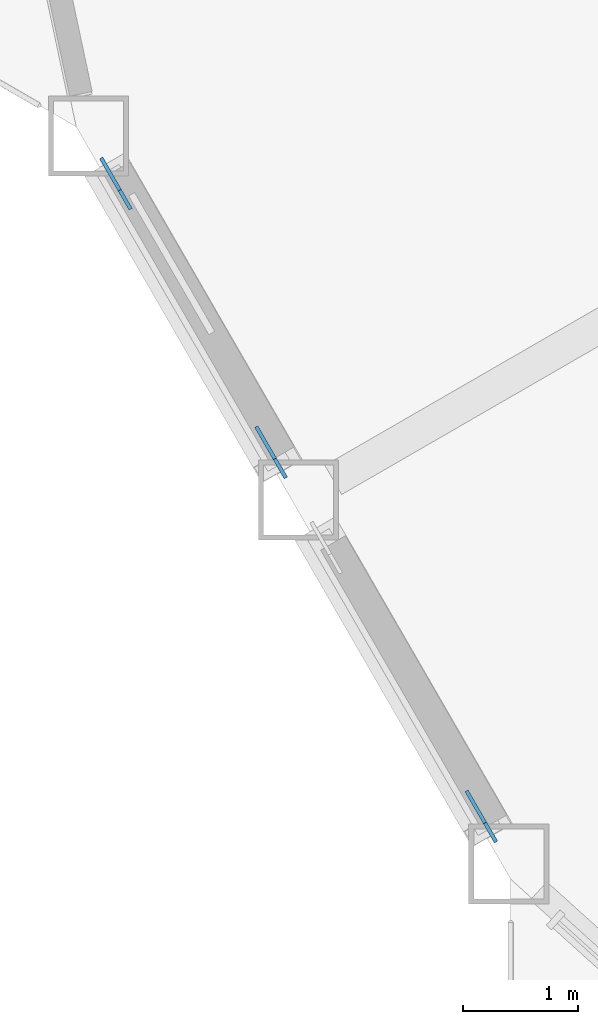
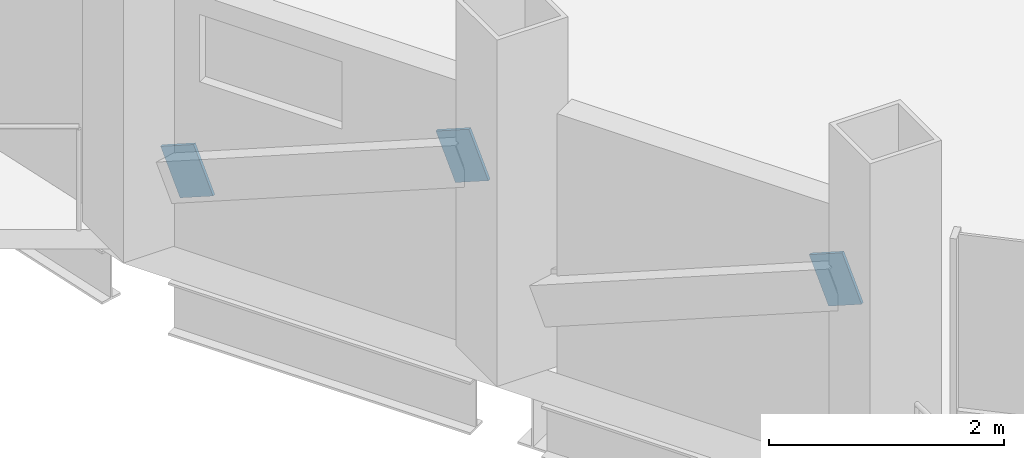
# One storey, part 16 of 24: 3 discrete accessories.
"""IFC4 building model written with IfcOpenShell, lengths in metres."""

from ifc_helpers import new_model, si_unit, direction, frame, origin, origin_2d, place, context, subcontext, project, spatial, rectangle, extrude, material, material_profile, profile_set, type_object, element, save


model = new_model("IFC4")

# Units and contexts
model_context = context("Model", 3, precision=1e-05, world=origin(), true_north=direction((0.0, 1.0)))
body_context = subcontext(model_context, "Body", "Model", "MODEL_VIEW")
ifc_project = project(units=[si_unit("LENGTHUNIT", "METRE"), si_unit("AREAUNIT", "SQUARE_METRE"), si_unit("VOLUMEUNIT", "CUBIC_METRE"), si_unit("PLANEANGLEUNIT", "RADIAN"), si_unit("MASSUNIT", "GRAM", prefix="KILO")], contexts=[model_context])

# Site, building, storey
site_placement = place(None, origin())
site = spatial("IfcSite", under=ifc_project, at=site_placement, CompositionType="ELEMENT")
building_placement = place(site_placement, origin())
building = spatial("IfcBuilding", under=site, at=building_placement, Name="Cormorant Prow Tower", CompositionType="ELEMENT")
storey_placement = place(building_placement, frame((0.0, 0.0, 274.199951171875)))
storey = spatial("IfcBuildingStorey", under=building, at=storey_placement, Name="L62", CompositionType="ELEMENT", Elevation=274.199951171875)

# Discrete accessories
ifc_material = material(Name="Structural steel ASTM A500 Gr C", Category="steel")
ifc_material_profile = material_profile(ifc_material, rectangle(XDim=0.031982421875, YDim=0.506103515625, at=origin_2d()), Name="Gusset plate 32x506")
ifc_profile_set = profile_set([ifc_material_profile], Name="Structural steel ASTM A500 Gr C")
discrete_accessory_type = type_object("IfcDiscreteAccessoryType", Name="Gusset plate 32x506", PredefinedType="BRACKET", material=ifc_profile_set)
discrete_accessory_placement = place(storey_placement, frame((-29.2900390625, -13.4150390625, 0.863037109375), z_axis=(-0.46266066689, 0.801805590131, -0.37822335061), x_axis=(-0.866147934042, -0.499787711288, 0.0)))
element("IfcDiscreteAccessory", 1, at=discrete_accessory_placement, inside=storey, type_object=discrete_accessory_type, Name="Gusset plate GP2 L62.WSW00.g0", PredefinedType="BRACKET", context=body_context, shape_type="SweptSolid", body=[
    extrude(rectangle(XDim=0.031982421875, YDim=0.506103515625, at=origin_2d()), origin(), (0.0, 0.0, 1.0), 0.349853515625),
])
for number, where, z_axis, x_axis, name in (
    (2, (-28.09814453125, -15.4794921875, 1.837890625), (0.462827914709, -0.801584490837, 0.378487285673), (0.866010015463, 0.500026652407, 0.0), "Gusset plate GP2 L62.WSW00.g1"),
    (3, (-26.262939453125, -18.658203125, 1.837890625), (0.462827914709, -0.801584490837, 0.378487285673), (0.866010015463, 0.500026652407, 0.0), "Gusset plate GP2 L62.WSW01.g1"),
):
    element("IfcDiscreteAccessory", number, at=place(storey_placement, frame(where, z_axis=z_axis, x_axis=x_axis)), inside=storey, type_object=discrete_accessory_type, Name=name, PredefinedType="BRACKET", context=body_context, shape_type="SweptSolid", body=[
        extrude(rectangle(XDim=0.031982421875, YDim=0.506103515625, at=origin_2d()), origin(), (0.0, 0.0, 1.0), 0.350341796875),
    ])

save(model, "model.ifc")
